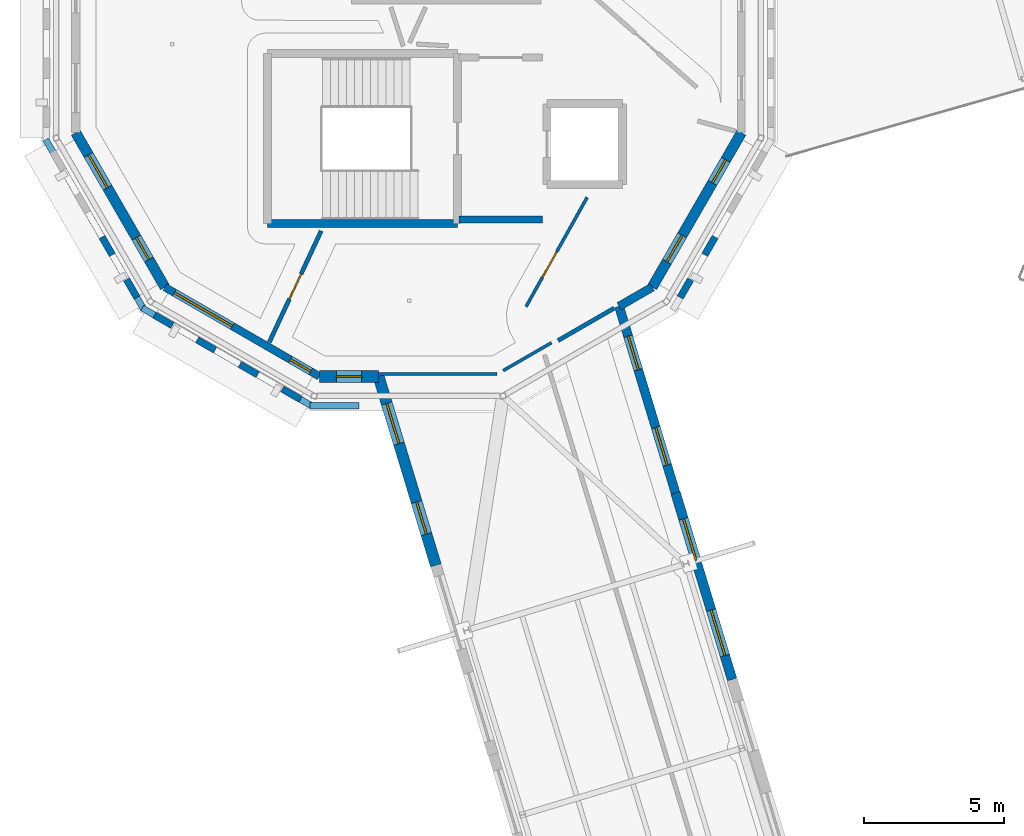
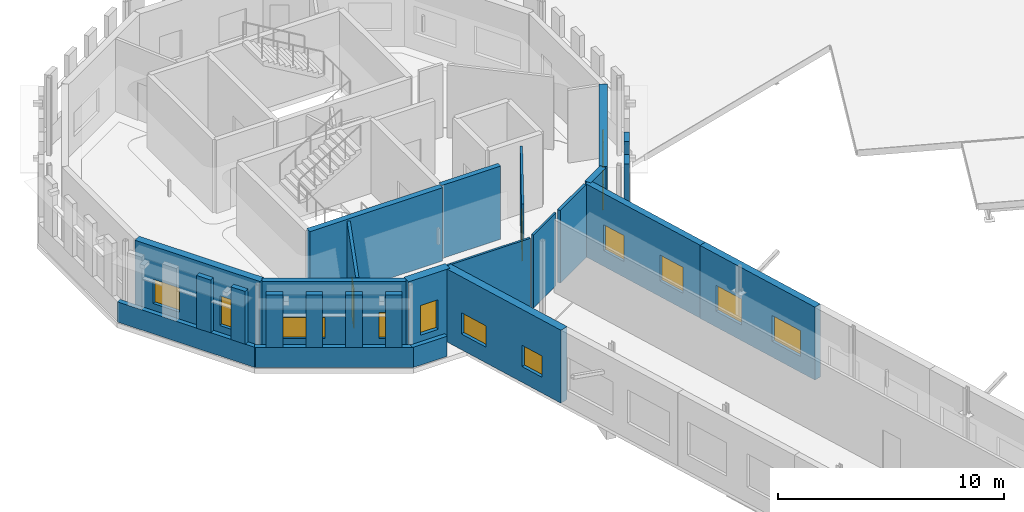
# One storey, part 56 of 90: 26 walls, 13 windows, 2 doors, 15 openings.
"""IFC4 building model written with IfcOpenShell, lengths in metres."""

import ifcopenshell
import ifcopenshell.guid

model = None  # the IFC model being written
_history = None  # IfcOwnerHistory: only IFC2X3 demands one
_inside = {}  # id of a spatial element -> (the spatial element, [elements in it])
_under = {}  # id of a project, library or spatial element -> (it, [spatial elements below it])
_declared = {}  # id of a project -> (the project, [libraries it declares])
_typed = {}  # id of a type object -> (the type object, [elements of that type])
_made_of = {}  # id of a material, layer set ... -> (it, [elements and type objects made of it])


def new_model(schema):
    """Start an empty IFC model of exactly this schema.

    Asked for "IFC4X3", IfcOpenShell would pick the latest addendum, in which some entities
    have other attributes; the version numbers below select the first issue.
    IFC2X3 requires an IfcOwnerHistory on every rooted entity: one is made here for all.
    """
    global model, _history
    if schema == "IFC4X3":
        model = ifcopenshell.file(schema_version=(4, 3, 0, 0))
    else:
        model = ifcopenshell.file(schema=schema)
    _inside.clear()
    _under.clear()
    _declared.clear()
    _typed.clear()
    _made_of.clear()
    _history = None
    if model.schema == "IFC2X3":
        org = make("IfcOrganization", Name="unknown")
        user = make(
            "IfcPersonAndOrganization",
            ThePerson=make("IfcPerson", FamilyName="unknown"),
            TheOrganization=org,
        )
        app = make(
            "IfcApplication",
            ApplicationDeveloper=org,
            Version="unknown",
            ApplicationFullName="unknown",
            ApplicationIdentifier="unknown",
        )
        _history = make(
            "IfcOwnerHistory",
            OwningUser=user,
            OwningApplication=app,
            ChangeAction="ADDED",
            CreationDate=0,
        )
    return model


def make(cls, **values):
    """One entity of the class cls with the attributes given. An attribute that is None is left unset."""
    return model.create_entity(
        cls, **{name: value for name, value in values.items() if value is not None}
    )


def rooted(cls, **values):
    """An entity with a GlobalId (a new one), such as an element, a storey or a relation."""
    return make(cls, GlobalId=ifcopenshell.guid.new(), OwnerHistory=_history, **values)


def si_unit(unit_type, name, prefix=None):
    """IfcSIUnit, for example si_unit("LENGTHUNIT", "METRE", prefix="MILLI")."""
    return make("IfcSIUnit", UnitType=unit_type, Prefix=prefix, Name=name)


def assignment(units):
    """IfcUnitAssignment: the units of a project."""
    return None if units is None else make("IfcUnitAssignment", Units=units)


def point(xyz):
    """IfcCartesianPoint."""
    return None if xyz is None else make("IfcCartesianPoint", Coordinates=xyz)


def direction(xyz):
    """IfcDirection."""
    return None if xyz is None else make("IfcDirection", DirectionRatios=xyz)


def frame(location, z_axis=None, x_axis=None):
    """IfcAxis2Placement3D, a coordinate frame: its origin and axes. An axis left out is left unset."""
    return make(
        "IfcAxis2Placement3D",
        Location=point(location),
        Axis=direction(z_axis),
        RefDirection=direction(x_axis),
    )


def frame_2d(location, x_axis=None):
    """IfcAxis2Placement2D, a coordinate frame in the plane: its origin and x axis."""
    return make(
        "IfcAxis2Placement2D", Location=point(location), RefDirection=direction(x_axis)
    )


def origin():
    """The frame at (0, 0, 0) with its axes left unset."""
    return frame((0.0, 0.0, 0.0))


def place(relative_to, where):
    """IfcLocalPlacement: puts the frame where relative to a parent placement (None: the world)."""
    return make(
        "IfcLocalPlacement", PlacementRelTo=relative_to, RelativePlacement=where
    )


def context(
    kind, dimensions, precision=None, world=None, true_north=None, identifier=None
):
    """IfcGeometricRepresentationContext, for example the 3D "Model" context."""
    return make(
        "IfcGeometricRepresentationContext",
        ContextIdentifier=identifier,
        ContextType=kind,
        CoordinateSpaceDimension=dimensions,
        Precision=precision,
        WorldCoordinateSystem=world,
        TrueNorth=true_north,
    )


def subcontext(parent, identifier, kind, view, scale=None):
    """IfcGeometricRepresentationSubContext, for example "Body" below "Model"."""
    return make(
        "IfcGeometricRepresentationSubContext",
        ContextIdentifier=identifier,
        ContextType=kind,
        ParentContext=parent,
        TargetScale=scale,
        TargetView=view,
    )


def project(units=None, contexts=None):
    """IfcProject with its units and contexts."""
    return rooted(
        "IfcProject",
        Name="project",
        RepresentationContexts=contexts,
        UnitsInContext=assignment(units),
    )


def spatial(cls, under=None, at=None, **own):
    """A site, building, storey or space (cls), placed at a placement, below another one or the project."""
    s = rooted(cls, ObjectPlacement=at, **own)
    if under is not None:
        _under.setdefault(under.id(), (under, []))[1].append(s)
    return s


def profile(cls, at=None, kind="AREA", **sizes):
    """A parametric profile (cls). Its sizes go by their IFC names, for example OverallWidth=200.0."""
    return make(cls, ProfileType=kind, Position=at, **sizes)


def rectangle(**sizes):
    """IfcRectangleProfileDef."""
    return profile("IfcRectangleProfileDef", **sizes)


def extrude(swept, where, along, depth):
    """IfcExtrudedAreaSolid: the profile swept, set in the frame where, extruded along a direction by depth."""
    return make(
        "IfcExtrudedAreaSolid",
        SweptArea=swept,
        Position=where,
        ExtrudedDirection=direction(along),
        Depth=depth,
    )


def shape(context_of_items, identifier, shape_type, items):
    """IfcShapeRepresentation: the items that make up one representation, for example the "Body"."""
    return make(
        "IfcShapeRepresentation",
        ContextOfItems=context_of_items,
        RepresentationIdentifier=identifier,
        RepresentationType=shape_type,
        Items=items,
    )


def material(Name=None, Category=None):
    """IfcMaterial."""
    return make("IfcMaterial", Name=Name, Category=Category)


def layer(
    of_material, thickness, ventilated=None, Name=None, Category=None, Priority=None
):
    """IfcMaterialLayer: one layer of a wall or slab, of a material (None: an air gap)."""
    return make(
        "IfcMaterialLayer",
        Material=of_material,
        LayerThickness=thickness,
        IsVentilated=ventilated,
        Name=Name,
        Category=Category,
        Priority=Priority,
    )


def layer_set(layers, Name=None):
    """IfcMaterialLayerSet."""
    return make("IfcMaterialLayerSet", MaterialLayers=layers, LayerSetName=Name)


def made_of(thing, what):
    """Note that an element or type object is made of a material, layer set ...; save() writes the relation."""
    if what is not None:
        _made_of.setdefault(what.id(), (what, []))[1].append(thing)
    return thing


def type_object(cls, material=None, **own):
    """A type object (cls), such as IfcWallType, which elements share."""
    return made_of(rooted(cls, **own), material)


def element(
    cls,
    number,
    at=None,
    inside=None,
    cuts=None,
    type_object=None,
    material=None,
    context=None,
    identifier="Body",
    shape_type=None,
    held_by="IfcProductDefinitionShape",
    body=None,
    shapes=None,
    **own,
):
    """One element of the class cls, such as IfcWall. Its Tag is "e" and its number.

    at: its placement. inside: the storey or other place that contains it. cuts: it is an
    opening in that element (IfcRelVoidsElement). A single representation is given by context,
    identifier, shape_type and body (its items); several are given by shapes. held_by: the class
    of the entity that holds the representations. save() writes the other relations.
    """
    e = rooted(cls, Tag="e%d" % number, ObjectPlacement=at, **own)
    if body is not None:
        shapes = [shape(context, identifier, shape_type, body)]
    if shapes is not None:
        e.Representation = make(held_by, Representations=shapes)
    if inside is not None:
        _inside.setdefault(inside.id(), (inside, []))[1].append(e)
    if cuts is not None:
        rooted(
            "IfcRelVoidsElement", RelatingBuildingElement=cuts, RelatedOpeningElement=e
        )
    if type_object is not None:
        _typed.setdefault(type_object.id(), (type_object, []))[1].append(e)
    return made_of(e, material)


def fill(opening, filler):
    """IfcRelFillsElement: the door or window that sits in an opening."""
    return rooted(
        "IfcRelFillsElement",
        RelatingOpeningElement=opening,
        RelatedBuildingElement=filler,
    )


def aggregate(whole, parts):
    """IfcRelAggregates: a whole, such as a stair, and the parts it consists of."""
    return rooted("IfcRelAggregates", RelatingObject=whole, RelatedObjects=parts)


def save(model, path):
    """Write the relations noted so far, then the file.

    IfcRelAggregates (storeys below a building ...), IfcRelContainedInSpatialStructure (elements
    in a storey), IfcRelDefinesByType, IfcRelAssociatesMaterial and IfcRelDeclares: one each for
    every whole, place, type object, material and project.
    """
    for whole, parts in _under.values():
        aggregate(whole, parts)
    for where, things in _inside.values():
        rooted(
            "IfcRelContainedInSpatialStructure",
            RelatedElements=things,
            RelatingStructure=where,
        )
    for kind, things in _typed.values():
        rooted("IfcRelDefinesByType", RelatedObjects=things, RelatingType=kind)
    for what, things in _made_of.values():
        rooted("IfcRelAssociatesMaterial", RelatedObjects=things, RelatingMaterial=what)
    for by, libraries in _declared.values():
        rooted("IfcRelDeclares", RelatingContext=by, RelatedDefinitions=libraries)
    model.write(path)


model = new_model("IFC4")

# Units and contexts
model_context = context("Model", 3, precision=1e-05, world=origin(), true_north=direction((0.0, 1.0)))
body_context = subcontext(model_context, "Body", "Model", "MODEL_VIEW")
ifc_project = project(units=[si_unit("LENGTHUNIT", "METRE"), si_unit("AREAUNIT", "SQUARE_METRE"), si_unit("VOLUMEUNIT", "CUBIC_METRE"), si_unit("PLANEANGLEUNIT", "RADIAN"), si_unit("MASSUNIT", "GRAM", prefix="KILO")], contexts=[model_context])

# Site, building, storey
site_placement = place(None, origin())
site = spatial("IfcSite", under=ifc_project, at=site_placement, CompositionType="ELEMENT")
building_placement = place(site_placement, origin())
building = spatial("IfcBuilding", under=site, at=building_placement, Name="Wrenclough Park School", CompositionType="ELEMENT")
storey_placement = place(building_placement, frame((0.0, 0.0, 8.39990234375)))
storey = spatial("IfcBuildingStorey", under=building, at=storey_placement, Name="L02", CompositionType="ELEMENT", Elevation=8.39990234375)

# Walls
ifc_material_1 = material(Name="Perforated open-bond Staffordshire and Manchester brick screen pier", Category="masonry")
ifc_layer_1 = layer(ifc_material_1, 0.2451171875)
ifc_layer_set_1 = layer_set([ifc_layer_1], Name="Perforated open-bond Staffordshire and Manchester brick screen pier")
wall_type_1 = type_object("IfcWallType", Name="ENV-BS-PR245", PredefinedType="ELEMENTEDWALL", material=ifc_layer_set_1)
for number, where, z_axis, x_axis, name in (
    (1, (5.534423828125, 82.57958984375, 1.090087890625), (0.0, 0.0, 1.0), (0.500189527592, -0.865915952323, 0.0), "D3 L02 perforated brick screen pier 0531"),
    (2, (6.41455078125, 81.055419921875, 1.090087890625), (0.0, 0.0, 1.0), (0.499798711192, -0.866141586746, 0.0), "D3 L02 perforated brick screen pier 0532"),
    (3, (7.415283203125, 79.783935546875, 1.090087890625), (0.0, 0.0, 1.0), (0.866141586746, -0.499798711192, 0.0), "D3 L02 perforated brick screen pier 0533"),
    (4, (8.939697265625, 78.904052734375, 1.090087890625), (0.0, 0.0, 1.0), (0.865915952323, -0.500189527592, 0.0), "D3 L02 perforated brick screen pier 0534"),
):
    element("IfcWall", number, at=place(storey_placement, frame(where, z_axis=z_axis, x_axis=x_axis)), inside=storey, type_object=wall_type_1, Name=name, PredefinedType="ELEMENTEDWALL", context=body_context, shape_type="SweptSolid", body=[
        extrude(rectangle(XDim=0.739013671875, YDim=0.2451171875, at=frame_2d((0.36962890625, 0.0))), origin(), (0.0, 0.0, 1.0), 2.85009765625),
    ])
wall_1_placement = place(storey_placement, frame((10.4638671875, 78.02392578125, 1.090087890625), z_axis=(0.0, 0.0, 1.0), x_axis=(0.866059033742, -0.499941746681, 0.0)))
element("IfcWall", 5, at=wall_1_placement, inside=storey, type_object=wall_type_1, Name="D3 L02 perforated brick screen pier 0535", PredefinedType="ELEMENTEDWALL", context=body_context, shape_type="SweptSolid", body=[
    extrude(rectangle(XDim=0.73876953125, YDim=0.2451171875, at=frame_2d((0.369384765625, 0.0))), origin(), (0.0, 0.0, 1.0), 2.85009765625),
])
for number, where, z_axis, x_axis, name in (
    (6, (11.988037109375, 77.14404296875, 1.090087890625), (0.0, 0.0, 1.0), (0.865915952323, -0.500189527592, 0.0), "D3 L02 perforated brick screen pier 0536"),
    (7, (26.216064453125, 80.415283203125, 1.090087890625), (0.0, 0.0, 1.0), (0.499798711192, 0.866141586746, 0.0), "D3 L02 perforated brick screen pier 0537"),
    (8, (27.095947265625, 81.939697265625, 1.090087890625), (0.0, 0.0, 1.0), (0.500189527592, 0.865915952323, 0.0), "D3 L02 perforated brick screen pier 0538"),
):
    element("IfcWall", number, at=place(storey_placement, frame(where, z_axis=z_axis, x_axis=x_axis)), inside=storey, type_object=wall_type_1, Name=name, PredefinedType="ELEMENTEDWALL", context=body_context, shape_type="SweptSolid", body=[
        extrude(rectangle(XDim=0.739013671875, YDim=0.2451171875, at=frame_2d((0.36962890625, 0.0))), origin(), (0.0, 0.0, 1.0), 2.85009765625),
    ])
ifc_material_2 = material(Name="Open-bond Manchester multi-stock brick spandrel screen", Category="masonry")
ifc_layer_2 = layer(ifc_material_2, 0.22509765625)
ifc_layer_set_2 = layer_set([ifc_layer_2], Name="Open-bond Manchester multi-stock brick spandrel screen")
wall_type_2 = type_object("IfcWallType", Name="ENV-BS-SP225", PredefinedType="ELEMENTEDWALL", material=ifc_layer_set_2)
for number, where, z_axis, x_axis, name in (
    (9, (3.519287109375, 86.070068359375, 0.0), (0.0, 0.0, 1.0), (0.500010639957, -0.866019260715, 0.0), "D3 L02 open-bond brick screen spandrel 0143"),
    (10, (6.973388671875, 80.039306640625, 0.0), (0.0, 0.0, 1.0), (0.866019260715, -0.500010639957, 0.0), "D3 L02 open-bond brick screen spandrel 0144"),
):
    element("IfcWall", number, at=place(storey_placement, frame(where, z_axis=z_axis, x_axis=x_axis)), inside=storey, type_object=wall_type_2, Name=name, PredefinedType="ELEMENTEDWALL", context=body_context, shape_type="SweptSolid", body=[
        extrude(rectangle(XDim=7.039794921875, YDim=0.22509765625, at=frame_2d((3.52001953125, 0.0))), origin(), (0.0, 0.0, 1.0), 1.090087890625),
    ])
wall_2_placement = place(storey_placement, frame((12.97998046875, 76.54345703125, 0.0), z_axis=(0.0, 0.0, 1.0), x_axis=(1.0, 0.0, 0.0)))
element("IfcWall", 11, at=wall_2_placement, inside=storey, type_object=wall_type_2, Name="D3 L02 open-bond brick screen spandrel 0145", PredefinedType="ELEMENTEDWALL", context=body_context, shape_type="SweptSolid", body=[
    extrude(rectangle(XDim=1.751708984375, YDim=0.22509765625, at=frame_2d((0.8759765625, 0.0))), origin(), (0.0, 0.0, 1.0), 1.090087890625),
])

# Wall, openings, windows
ifc_material_3 = material(Name="Link wing brick-faced cavity wall Concrete C32/40", Category="masonry")
ifc_layer_3 = layer(ifc_material_3, 0.27490234375)
ifc_layer_set_3 = layer_set([ifc_layer_3], Name="Link wing brick-faced cavity wall Concrete C32/40")
wall_type_3 = type_object("IfcWallType", Name="ENV-EW-275", PredefinedType="SOLIDWALL", material=ifc_layer_set_3)
wall_3_placement = place(storey_placement, frame((13.309814453125, 77.59423828125, 0.0), z_axis=(0.0, 0.0, 1.0), x_axis=(-0.866044766488, 0.499966461314, 0.0)))
wall_3 = element("IfcWall", 12, at=wall_3_placement, inside=storey, type_object=wall_type_3, Name="L02 insulated brick external wall 0230", PredefinedType="SOLIDWALL", context=body_context, shape_type="SweptSolid", body=[
    extrude(rectangle(XDim=6.38037109375, YDim=0.27490234375, at=frame_2d((3.190185546875, 0.0))), origin(), (0.0, 0.0, 1.0), 3.940185546875),
])
opening_1_placement = place(wall_3_placement, frame((0.35009765625, 0.0, 0.85009765625)))
opening_1 = element("IfcOpeningElement", 13, at=opening_1_placement, cuts=wall_3, Name="Opening WN-01", PredefinedType="OPENING", context=body_context, shape_type="SweptSolid", body=[
    extrude(rectangle(XDim=0.85009765625, YDim=1.39990234375, at=frame_2d((0.425048828125, 0.699951171875))), frame((0.0, 0.1474609375, 0.0), z_axis=(0.0, -1.0, 0.0), x_axis=(1.0, 0.0, 0.0)), (0.0, 0.0, 1.0), 0.294921875),
])
opening_2_placement = place(wall_3_placement, frame((3.585205078125, 0.0, 0.85009765625)))
opening_2 = element("IfcOpeningElement", 14, at=opening_2_placement, cuts=wall_3, Name="Opening WN-41", PredefinedType="OPENING", context=body_context, shape_type="SweptSolid", body=[
    extrude(rectangle(XDim=2.39990234375, YDim=1.14990234375, at=frame_2d((1.199951171875, 0.574951171875))), frame((0.0, 0.1474609375, 0.0), z_axis=(0.0, -1.0, 0.0), x_axis=(1.0, 0.0, 0.0)), (0.0, 0.0, 1.0), 0.294921875),
])
ifc_material_4 = material(Name="Thermally broken aluminium and double-glazed low-e glass", Category="aluminium")
window_type_1 = type_object("IfcWindowType", Name="ENV-WN-01", PartitioningType="SINGLE_PANEL", PredefinedType="WINDOW", material=ifc_material_4)
window_1_placement = place(opening_1_placement, origin())
window_1 = element("IfcWindow", 15, at=window_1_placement, inside=storey, type_object=window_type_1, Name="L02 scheduled facade window 0375", OverallHeight=1.39990234375, OverallWidth=0.85009765625, PartitioningType="SINGLE_PANEL", PredefinedType="WINDOW", context=body_context, shape_type="SweptSolid", body=[
    extrude(rectangle(XDim=0.85009765625, YDim=1.39990234375, at=frame_2d((0.425048828125, 0.699951171875))), frame((0.0, 0.030029296875, 0.0), z_axis=(0.0, -1.0, 0.0), x_axis=(1.0, 0.0, 0.0)), (0.0, 0.0, 1.0), 0.06005859375),
])
fill(opening_1, window_1)
window_type_2 = type_object("IfcWindowType", Name="ENV-WN-41", PartitioningType="DOUBLE_PANEL_VERTICAL", PredefinedType="WINDOW", material=ifc_material_4)
window_2_placement = place(opening_2_placement, origin())
window_2 = element("IfcWindow", 16, at=window_2_placement, inside=storey, type_object=window_type_2, Name="L02 scheduled facade window 0376", OverallHeight=1.14990234375, OverallWidth=2.39990234375, PartitioningType="SINGLE_PANEL", PredefinedType="WINDOW", context=body_context, shape_type="SweptSolid", body=[
    extrude(rectangle(XDim=2.39990234375, YDim=1.14990234375, at=frame_2d((1.199951171875, 0.574951171875))), frame((0.0, 0.030029296875, 0.0), z_axis=(0.0, -1.0, 0.0), x_axis=(1.0, 0.0, 0.0)), (0.0, 0.0, 1.0), 0.06005859375),
])
fill(opening_2, window_2)

# Wall
ifc_material_5 = material(Name="Manchester multi-stock brick and Concrete C32/40 inner leaf", Category="masonry")
ifc_layer_4 = layer(ifc_material_5, 0.300048828125)
ifc_layer_set_4 = layer_set([ifc_layer_4], Name="Manchester multi-stock brick and Concrete C32/40 inner leaf")
wall_type_4 = type_object("IfcWallType", Name="ENV-EW-300", PredefinedType="SOLIDWALL", material=ifc_layer_set_4)
wall_4_placement = place(storey_placement, frame((25.2158203125, 80.7841796875, 0.0), z_axis=(0.0, 0.0, 1.0), x_axis=(-0.866084655132, -0.499897359611, 0.0)))
element("IfcWall", 17, at=wall_4_placement, inside=storey, type_object=wall_type_4, Name="L02 insulated brick external wall 0240", PredefinedType="SOLIDWALL", context=body_context, shape_type="SweptSolid", body=[
    extrude(rectangle(XDim=1.369384765625, YDim=0.300048828125, at=frame_2d((0.6845703125, 0.0))), origin(), (0.0, 0.0, 1.0), 3.940185546875),
])

# Wall, openings, windows
ifc_layer_5 = layer(ifc_material_5, 0.324951171875)
ifc_layer_set_5 = layer_set([ifc_layer_5], Name="Manchester multi-stock brick and Concrete C32/40 inner leaf")
wall_type_5 = type_object("IfcWallType", Name="ENV-EW-325", PredefinedType="SOLIDWALL", material=ifc_layer_set_5)
wall_5_placement = place(storey_placement, frame((24.02978515625, 80.099609375, 0.0), z_axis=(0.0, 0.0, 1.0), x_axis=(0.289999622439, -0.957026759806, 0.0)))
wall_5 = element("IfcWall", 18, at=wall_5_placement, inside=storey, type_object=wall_type_5, Name="L02 insulated brick external wall 0241", PredefinedType="SOLIDWALL", context=body_context, shape_type="SweptSolid", body=[
    extrude(rectangle(XDim=6.97412109375, YDim=0.324951171875, at=frame_2d((3.487060546875, 0.0))), origin(), (0.0, 0.0, 1.0), 3.940185546875),
])
opening_3_placement = place(wall_5_placement, frame((1.118408203125, 0.0, 0.85009765625)))
opening_3 = element("IfcOpeningElement", 19, at=opening_3_placement, cuts=wall_5, Name="Opening WN-04", PredefinedType="OPENING", context=body_context, shape_type="SweptSolid", body=[
    extrude(rectangle(XDim=1.25, YDim=1.39990234375, at=frame_2d((0.625, 0.699951171875))), frame((0.0, 0.17236328125, 0.0), z_axis=(0.0, -1.0, 0.0), x_axis=(1.0, 0.0, 0.0)), (0.0, 0.0, 1.0), 0.344970703125),
])
opening_4_placement = place(wall_5_placement, frame((4.530517578125, 0.0, 0.85009765625)))
opening_4 = element("IfcOpeningElement", 20, at=opening_4_placement, cuts=wall_5, Name="Opening WN-05", PredefinedType="OPENING", context=body_context, shape_type="SweptSolid", body=[
    extrude(rectangle(XDim=1.39990234375, YDim=1.39990234375, at=frame_2d((0.699951171875, 0.699951171875))), frame((0.0, 0.17236328125, 0.0), z_axis=(0.0, -1.0, 0.0), x_axis=(1.0, 0.0, 0.0)), (0.0, 0.0, 1.0), 0.344970703125),
])
window_type_3 = type_object("IfcWindowType", Name="ENV-WN-04", PartitioningType="SINGLE_PANEL", PredefinedType="WINDOW", material=ifc_material_4)
window_3_placement = place(opening_3_placement, origin())
window_3 = element("IfcWindow", 21, at=window_3_placement, inside=storey, type_object=window_type_3, Name="L02 scheduled facade window 0395", OverallHeight=1.39990234375, OverallWidth=1.25, PartitioningType="SINGLE_PANEL", PredefinedType="WINDOW", context=body_context, shape_type="SweptSolid", body=[
    extrude(rectangle(XDim=1.25, YDim=1.39990234375, at=frame_2d((0.625, 0.699951171875))), frame((0.0, 0.030029296875, 0.0), z_axis=(0.0, -1.0, 0.0), x_axis=(1.0, 0.0, 0.0)), (0.0, 0.0, 1.0), 0.06005859375),
])
fill(opening_3, window_3)
window_type_4 = type_object("IfcWindowType", Name="ENV-WN-05", PartitioningType="SINGLE_PANEL", PredefinedType="WINDOW", material=ifc_material_4)
window_4_placement = place(opening_4_placement, origin())
window_4 = element("IfcWindow", 22, at=window_4_placement, inside=storey, type_object=window_type_4, Name="L02 scheduled facade window 0396", OverallHeight=1.39990234375, OverallWidth=1.39990234375, PartitioningType="SINGLE_PANEL", PredefinedType="WINDOW", context=body_context, shape_type="SweptSolid", body=[
    extrude(rectangle(XDim=1.39990234375, YDim=1.39990234375, at=frame_2d((0.699951171875, 0.699951171875))), frame((0.0, 0.030029296875, 0.0), z_axis=(0.0, -1.0, 0.0), x_axis=(1.0, 0.0, 0.0)), (0.0, 0.0, 1.0), 0.06005859375),
])
fill(opening_4, window_4)

ifc_material_6 = material(Name="Staffordshire blue-grey brick and Concrete C35/45 inner leaf", Category="masonry")
ifc_layer_6 = layer(ifc_material_6, 0.35009765625)
ifc_layer_set_6 = layer_set([ifc_layer_6], Name="Staffordshire blue-grey brick and Concrete C35/45 inner leaf")
wall_type_6 = type_object("IfcWallType", Name="ENV-EW-350", PredefinedType="SOLIDWALL", material=ifc_layer_set_6)
wall_6_placement = place(storey_placement, frame((26.05224609375, 73.42529296875, 0.0), z_axis=(0.0, 0.0, 1.0), x_axis=(0.29003168505, -0.957017043561, 0.0)))
wall_6 = element("IfcWall", 23, at=wall_6_placement, inside=storey, type_object=wall_type_6, Name="L02 insulated brick external wall 0242", PredefinedType="SOLIDWALL", context=body_context, shape_type="SweptSolid", body=[
    extrude(rectangle(XDim=6.97412109375, YDim=0.35009765625, at=frame_2d((3.487060546875, 0.0))), origin(), (0.0, 0.0, 1.0), 3.940185546875),
])
opening_5_placement = place(wall_6_placement, frame((0.968505859375, 0.0, 0.85009765625)))
opening_5 = element("IfcOpeningElement", 24, at=opening_5_placement, cuts=wall_6, Name="Opening WN-06", PredefinedType="OPENING", context=body_context, shape_type="SweptSolid", body=[
    extrude(rectangle(XDim=1.550048828125, YDim=1.39990234375, at=frame_2d((0.77490234375, 0.699951171875))), frame((0.0, 0.18505859375, 0.0), z_axis=(0.0, -1.0, 0.0), x_axis=(1.0, 0.0, 0.0)), (0.0, 0.0, 1.0), 0.3701171875),
])
opening_6_placement = place(wall_6_placement, frame((4.380615234375, 0.0, 0.85009765625)))
opening_6 = element("IfcOpeningElement", 25, at=opening_6_placement, cuts=wall_6, Name="Opening WN-07", PredefinedType="OPENING", context=body_context, shape_type="SweptSolid", body=[
    extrude(rectangle(XDim=1.699951171875, YDim=1.39990234375, at=frame_2d((0.85009765625, 0.699951171875))), frame((0.0, 0.18505859375, 0.0), z_axis=(0.0, -1.0, 0.0), x_axis=(1.0, 0.0, 0.0)), (0.0, 0.0, 1.0), 0.3701171875),
])
window_type_5 = type_object("IfcWindowType", Name="ENV-WN-06", PartitioningType="DOUBLE_PANEL_VERTICAL", PredefinedType="WINDOW", material=ifc_material_4)
window_5_placement = place(opening_5_placement, origin())
window_5 = element("IfcWindow", 26, at=window_5_placement, inside=storey, type_object=window_type_5, Name="L02 scheduled facade window 0397", OverallHeight=1.39990234375, OverallWidth=1.550048828125, PartitioningType="SINGLE_PANEL", PredefinedType="WINDOW", context=body_context, shape_type="SweptSolid", body=[
    extrude(rectangle(XDim=1.550048828125, YDim=1.39990234375, at=frame_2d((0.77490234375, 0.699951171875))), frame((0.0, 0.030029296875, 0.0), z_axis=(0.0, -1.0, 0.0), x_axis=(1.0, 0.0, 0.0)), (0.0, 0.0, 1.0), 0.06005859375),
])
fill(opening_5, window_5)
window_type_6 = type_object("IfcWindowType", Name="ENV-WN-07", PartitioningType="DOUBLE_PANEL_VERTICAL", PredefinedType="WINDOW", material=ifc_material_4)
window_6_placement = place(opening_6_placement, origin())
window_6 = element("IfcWindow", 27, at=window_6_placement, inside=storey, type_object=window_type_6, Name="L02 scheduled facade window 0398", OverallHeight=1.39990234375, OverallWidth=1.699951171875, PartitioningType="SINGLE_PANEL", PredefinedType="WINDOW", context=body_context, shape_type="SweptSolid", body=[
    extrude(rectangle(XDim=1.699951171875, YDim=1.39990234375, at=frame_2d((0.85009765625, 0.699951171875))), frame((0.0, 0.030029296875, 0.0), z_axis=(0.0, -1.0, 0.0), x_axis=(1.0, 0.0, 0.0)), (0.0, 0.0, 1.0), 0.06005859375),
])
fill(opening_6, window_6)

ifc_material_7 = material(Name="Faceted courtyard brick-cavity wall Concrete C35/45", Category="masonry")
ifc_layer_7 = layer(ifc_material_7, 0.364990234375)
ifc_layer_set_7 = layer_set([ifc_layer_7], Name="Faceted courtyard brick-cavity wall Concrete C35/45")
wall_type_7 = type_object("IfcWallType", Name="ENV-EW-365", PredefinedType="SOLIDWALL", material=ifc_layer_set_7)
wall_7_placement = place(storey_placement, frame((7.7841796875, 80.7841796875, 0.0), z_axis=(0.0, 0.0, 1.0), x_axis=(-0.499966461314, 0.866044766488, 0.0)))
wall_7 = element("IfcWall", 28, at=wall_7_placement, inside=storey, type_object=wall_type_7, Name="L02 insulated brick external wall 0231", PredefinedType="SOLIDWALL", context=body_context, shape_type="SweptSolid", body=[
    extrude(rectangle(XDim=6.38037109375, YDim=0.364990234375, at=frame_2d((3.190185546875, 0.0))), origin(), (0.0, 0.0, 1.0), 3.940185546875),
])
opening_7_placement = place(wall_7_placement, frame((1.14501953125, 0.0, 0.85009765625)))
opening_7 = element("IfcOpeningElement", 29, at=opening_7_placement, cuts=wall_7, Name="Opening WN-13", PredefinedType="OPENING", context=body_context, shape_type="SweptSolid", body=[
    extrude(rectangle(XDim=0.89990234375, YDim=1.60009765625, at=frame_2d((0.449951171875, 0.800048828125))), frame((0.0, 0.1923828125, 0.0), z_axis=(0.0, -1.0, 0.0), x_axis=(1.0, 0.0, 0.0)), (0.0, 0.0, 1.0), 0.385009765625),
])
opening_8_placement = place(wall_7_placement, frame((4.110107421875, 0.0, 0.85009765625)))
opening_8 = element("IfcOpeningElement", 30, at=opening_8_placement, cuts=wall_7, Name="Opening WN-43", PredefinedType="OPENING", context=body_context, shape_type="SweptSolid", body=[
    extrude(rectangle(XDim=1.35009765625, YDim=1.300048828125, at=frame_2d((0.675048828125, 0.64990234375))), frame((0.0, 0.1923828125, 0.0), z_axis=(0.0, -1.0, 0.0), x_axis=(1.0, 0.0, 0.0)), (0.0, 0.0, 1.0), 0.385009765625),
])
window_type_7 = type_object("IfcWindowType", Name="ENV-WN-13", PartitioningType="SINGLE_PANEL", PredefinedType="WINDOW", material=ifc_material_4)
window_7_placement = place(opening_7_placement, origin())
window_7 = element("IfcWindow", 31, at=window_7_placement, inside=storey, type_object=window_type_7, Name="L02 scheduled facade window 0377", OverallHeight=1.60009765625, OverallWidth=0.89990234375, PartitioningType="SINGLE_PANEL", PredefinedType="WINDOW", context=body_context, shape_type="SweptSolid", body=[
    extrude(rectangle(XDim=0.89990234375, YDim=1.60009765625, at=frame_2d((0.449951171875, 0.800048828125))), frame((0.0, 0.030029296875, 0.0), z_axis=(0.0, -1.0, 0.0), x_axis=(1.0, 0.0, 0.0)), (0.0, 0.0, 1.0), 0.06005859375),
])
fill(opening_7, window_7)
window_type_8 = type_object("IfcWindowType", Name="ENV-WN-43", PartitioningType="SINGLE_PANEL", PredefinedType="WINDOW", material=ifc_material_4)
window_8_placement = place(opening_8_placement, origin())
window_8 = element("IfcWindow", 32, at=window_8_placement, inside=storey, type_object=window_type_8, Name="L02 scheduled facade window 0378", OverallHeight=1.300048828125, OverallWidth=1.35009765625, PartitioningType="SINGLE_PANEL", PredefinedType="WINDOW", context=body_context, shape_type="SweptSolid", body=[
    extrude(rectangle(XDim=1.35009765625, YDim=1.300048828125, at=frame_2d((0.675048828125, 0.64990234375))), frame((0.0, 0.030029296875, 0.0), z_axis=(0.0, -1.0, 0.0), x_axis=(1.0, 0.0, 0.0)), (0.0, 0.0, 1.0), 0.06005859375),
])
fill(opening_8, window_8)

wall_8_placement = place(storey_placement, frame((28.40576171875, 86.309814453125, 0.0), z_axis=(0.0, 0.0, 1.0), x_axis=(-0.499966461314, -0.866044766488, 0.0)))
wall_8 = element("IfcWall", 33, at=wall_8_placement, inside=storey, type_object=wall_type_7, Name="L02 insulated brick external wall 0239", PredefinedType="SOLIDWALL", context=body_context, shape_type="SweptSolid", body=[
    extrude(rectangle(XDim=6.38037109375, YDim=0.364990234375, at=frame_2d((3.190185546875, 0.0))), origin(), (0.0, 0.0, 1.0), 3.940185546875),
])
opening_9_placement = place(wall_8_placement, frame((1.1201171875, 0.0, 0.85009765625)))
opening_9 = element("IfcOpeningElement", 34, at=opening_9_placement, cuts=wall_8, Name="Opening WN-02", PredefinedType="OPENING", context=body_context, shape_type="SweptSolid", body=[
    extrude(rectangle(XDim=0.949951171875, YDim=1.39990234375, at=frame_2d((0.47509765625, 0.699951171875))), frame((0.0, 0.1923828125, 0.0), z_axis=(0.0, -1.0, 0.0), x_axis=(1.0, 0.0, 0.0)), (0.0, 0.0, 1.0), 0.385009765625),
])
opening_10_placement = place(wall_8_placement, frame((4.235107421875, 0.0, 0.85009765625)))
opening_10 = element("IfcOpeningElement", 35, at=opening_10_placement, cuts=wall_8, Name="Opening WN-03", PredefinedType="OPENING", context=body_context, shape_type="SweptSolid", body=[
    extrude(rectangle(XDim=1.10009765625, YDim=1.39990234375, at=frame_2d((0.550048828125, 0.699951171875))), frame((0.0, 0.1923828125, 0.0), z_axis=(0.0, -1.0, 0.0), x_axis=(1.0, 0.0, 0.0)), (0.0, 0.0, 1.0), 0.385009765625),
])
window_type_9 = type_object("IfcWindowType", Name="ENV-WN-02", PartitioningType="SINGLE_PANEL", PredefinedType="WINDOW", material=ifc_material_4)
window_9_placement = place(opening_9_placement, origin())
window_9 = element("IfcWindow", 36, at=window_9_placement, inside=storey, type_object=window_type_9, Name="L02 scheduled facade window 0393", OverallHeight=1.39990234375, OverallWidth=0.949951171875, PartitioningType="SINGLE_PANEL", PredefinedType="WINDOW", context=body_context, shape_type="SweptSolid", body=[
    extrude(rectangle(XDim=0.949951171875, YDim=1.39990234375, at=frame_2d((0.47509765625, 0.699951171875))), frame((0.0, 0.030029296875, 0.0), z_axis=(0.0, -1.0, 0.0), x_axis=(1.0, 0.0, 0.0)), (0.0, 0.0, 1.0), 0.06005859375),
])
fill(opening_9, window_9)
window_type_10 = type_object("IfcWindowType", Name="ENV-WN-03", PartitioningType="SINGLE_PANEL", PredefinedType="WINDOW", material=ifc_material_4)
window_10_placement = place(opening_10_placement, origin())
window_10 = element("IfcWindow", 37, at=window_10_placement, inside=storey, type_object=window_type_10, Name="L02 scheduled facade window 0394", OverallHeight=1.39990234375, OverallWidth=1.10009765625, PartitioningType="SINGLE_PANEL", PredefinedType="WINDOW", context=body_context, shape_type="SweptSolid", body=[
    extrude(rectangle(XDim=1.10009765625, YDim=1.39990234375, at=frame_2d((0.550048828125, 0.699951171875))), frame((0.0, 0.030029296875, 0.0), z_axis=(0.0, -1.0, 0.0), x_axis=(1.0, 0.0, 0.0)), (0.0, 0.0, 1.0), 0.06005859375),
])
fill(opening_10, window_10)

ifc_material_8 = material(Name="Staffordshire blue-grey brick and Concrete C40/50 acoustic leaf", Category="masonry")
ifc_layer_8 = layer(ifc_material_8, 0.39990234375)
ifc_layer_set_8 = layer_set([ifc_layer_8], Name="Staffordshire blue-grey brick and Concrete C40/50 acoustic leaf")
wall_type_8 = type_object("IfcWallType", Name="ENV-EW-400", PredefinedType="SOLIDWALL", material=ifc_layer_set_8)
wall_9_placement = place(storey_placement, frame((17.474853515625, 70.835205078125, 0.0), z_axis=(0.0, 0.0, 1.0), x_axis=(-0.289994922697, 0.957028183916, 0.0)))
wall_9 = element("IfcWall", 38, at=wall_9_placement, inside=storey, type_object=wall_type_8, Name="L02 insulated brick external wall 0228", PredefinedType="SOLIDWALL", context=body_context, shape_type="SweptSolid", body=[
    extrude(rectangle(XDim=7.0625, YDim=0.39990234375, at=frame_2d((3.53125, 0.0))), origin(), (0.0, 0.0, 1.0), 3.940185546875),
])
opening_11_placement = place(wall_9_placement, frame((1.16552734375, 0.0, 0.85009765625)))
opening_11 = element("IfcOpeningElement", 39, at=opening_11_placement, cuts=wall_9, Name="Opening WN-37", PredefinedType="OPENING", context=body_context, shape_type="SweptSolid", body=[
    extrude(rectangle(XDim=1.199951171875, YDim=1.14990234375, at=frame_2d((0.60009765625, 0.574951171875))), frame((0.0, 0.2099609375, 0.0), z_axis=(0.0, -1.0, 0.0), x_axis=(1.0, 0.0, 0.0)), (0.0, 0.0, 1.0), 0.419921875),
])
opening_12_placement = place(wall_9_placement, frame((4.546875, 0.0, 0.85009765625)))
opening_12 = element("IfcOpeningElement", 40, at=opening_12_placement, cuts=wall_9, Name="Opening WN-38", PredefinedType="OPENING", context=body_context, shape_type="SweptSolid", body=[
    extrude(rectangle(XDim=1.5, YDim=1.14990234375, at=frame_2d((0.75, 0.574951171875))), frame((0.0, 0.2099609375, 0.0), z_axis=(0.0, -1.0, 0.0), x_axis=(1.0, 0.0, 0.0)), (0.0, 0.0, 1.0), 0.419921875),
])
window_type_11 = type_object("IfcWindowType", Name="ENV-WN-37", PartitioningType="SINGLE_PANEL", PredefinedType="WINDOW", material=ifc_material_4)
window_11_placement = place(opening_11_placement, origin())
window_11 = element("IfcWindow", 41, at=window_11_placement, inside=storey, type_object=window_type_11, Name="L02 scheduled facade window 0372", OverallHeight=1.14990234375, OverallWidth=1.199951171875, PartitioningType="SINGLE_PANEL", PredefinedType="WINDOW", context=body_context, shape_type="SweptSolid", body=[
    extrude(rectangle(XDim=1.199951171875, YDim=1.14990234375, at=frame_2d((0.60009765625, 0.574951171875))), frame((0.0, 0.030029296875, 0.0), z_axis=(0.0, -1.0, 0.0), x_axis=(1.0, 0.0, 0.0)), (0.0, 0.0, 1.0), 0.06005859375),
])
fill(opening_11, window_11)
window_type_12 = type_object("IfcWindowType", Name="ENV-WN-38", PartitioningType="DOUBLE_PANEL_VERTICAL", PredefinedType="WINDOW", material=ifc_material_4)
window_12_placement = place(opening_12_placement, origin())
window_12 = element("IfcWindow", 42, at=window_12_placement, inside=storey, type_object=window_type_12, Name="L02 scheduled facade window 0373", OverallHeight=1.14990234375, OverallWidth=1.5, PartitioningType="SINGLE_PANEL", PredefinedType="WINDOW", context=body_context, shape_type="SweptSolid", body=[
    extrude(rectangle(XDim=1.5, YDim=1.14990234375, at=frame_2d((0.75, 0.574951171875))), frame((0.0, 0.030029296875, 0.0), z_axis=(0.0, -1.0, 0.0), x_axis=(1.0, 0.0, 0.0)), (0.0, 0.0, 1.0), 0.06005859375),
])
fill(opening_12, window_12)

# Wall, opening, window
ifc_material_9 = material(Name="Insulated brick-clad sports hall wall Concrete C40/50", Category="masonry")
ifc_layer_9 = layer(ifc_material_9, 0.425048828125)
ifc_layer_set_9 = layer_set([ifc_layer_9], Name="Insulated brick-clad sports hall wall Concrete C40/50")
wall_type_9 = type_object("IfcWallType", Name="ENV-EW-425", PredefinedType="SOLIDWALL", material=ifc_layer_set_9)
wall_10_placement = place(storey_placement, frame((15.4267578125, 77.59423828125, 0.0), z_axis=(0.0, 0.0, 1.0), x_axis=(-1.0, 0.0, 0.0)))
wall_10 = element("IfcWall", 43, at=wall_10_placement, inside=storey, type_object=wall_type_9, Name="L02 insulated brick external wall 0229", PredefinedType="SOLIDWALL", context=body_context, shape_type="SweptSolid", body=[
    extrude(rectangle(XDim=2.116943359375, YDim=0.425048828125, at=frame_2d((1.05859375, 0.0))), origin(), (0.0, 0.0, 1.0), 3.940185546875),
])
opening_13_placement = place(wall_10_placement, frame((0.6083984375, 0.0, 0.85009765625)))
opening_13 = element("IfcOpeningElement", 44, at=opening_13_placement, cuts=wall_10, Name="Opening WN-13", PredefinedType="OPENING", context=body_context, shape_type="SweptSolid", body=[
    extrude(rectangle(XDim=0.89990234375, YDim=1.60009765625, at=frame_2d((0.449951171875, 0.800048828125))), frame((0.0, 0.222412109375, 0.0), z_axis=(0.0, -1.0, 0.0), x_axis=(1.0, 0.0, 0.0)), (0.0, 0.0, 1.0), 0.445068359375),
])
window_13_placement = place(opening_13_placement, origin())
window_13 = element("IfcWindow", 45, at=window_13_placement, inside=storey, type_object=window_type_7, Name="L02 scheduled facade window 0374", OverallHeight=1.60009765625, OverallWidth=0.89990234375, PartitioningType="SINGLE_PANEL", PredefinedType="WINDOW", context=body_context, shape_type="SweptSolid", body=[
    extrude(rectangle(XDim=0.89990234375, YDim=1.60009765625, at=frame_2d((0.449951171875, 0.800048828125))), frame((0.0, 0.030029296875, 0.0), z_axis=(0.0, -1.0, 0.0), x_axis=(1.0, 0.0, 0.0)), (0.0, 0.0, 1.0), 0.06005859375),
])
fill(opening_13, window_13)

# Walls
ifc_material_10 = material(Name="Concrete C35/45", Category="concrete")
ifc_layer_10 = layer(ifc_material_10, 0.25)
ifc_layer_set_10 = layer_set([ifc_layer_10], Name="Concrete C35/45")
wall_type_10 = type_object("IfcWallType", Name="INT-CW-250", PredefinedType="SHEAR", material=ifc_layer_set_10)
wall_11_placement = place(storey_placement, frame((18.300048828125, 83.199951171875, 0.0), z_axis=(0.0, 0.0, 1.0), x_axis=(1.0, 0.0, 0.0)))
element("IfcWall", 46, at=wall_11_placement, inside=storey, type_object=wall_type_10, Name="Core C3 L02 lobby fire wall south", PredefinedType="SHEAR", context=body_context, shape_type="SweptSolid", body=[
    extrude(rectangle(XDim=3.0, YDim=0.25, at=frame_2d((1.5, 0.0))), origin(), (0.0, 0.0, 1.0), 3.9501953125),
])
ifc_material_11 = material(Name="Concrete C40/50", Category="concrete")
ifc_layer_11 = layer(ifc_material_11, 0.2900390625)
ifc_layer_set_11 = layer_set([ifc_layer_11], Name="Concrete C40/50")
wall_type_11 = type_object("IfcWallType", Name="INT-CW-290", PredefinedType="SHEAR", material=ifc_layer_set_11)
wall_12_placement = place(storey_placement, frame((11.455078125, 83.054931640625, 0.0), z_axis=(0.0, 0.0, 1.0), x_axis=(1.0, 0.0, 0.0)))
element("IfcWall", 47, at=wall_12_placement, inside=storey, type_object=wall_type_11, Name="Core C3 L02 south shear wall", PredefinedType="SHEAR", context=body_context, shape_type="SweptSolid", body=[
    extrude(rectangle(XDim=6.7900390625, YDim=0.2900390625, at=frame_2d((3.39501953125, 0.0))), origin(), (0.0, 0.0, 1.0), 3.9501953125),
])
ifc_material_12 = material(Name="Lightweight fire-rated store partition", Category="gypsum")
ifc_layer_12 = layer(ifc_material_12, 0.110107421875)
ifc_layer_set_12 = layer_set([ifc_layer_12], Name="Lightweight fire-rated store partition")
wall_type_12 = type_object("IfcWallType", Name="INT-PW-110", PredefinedType="PARTITIONING", material=ifc_layer_set_12)
wall_13_placement = place(storey_placement, frame((15.4287109375, 77.67431640625, 0.0), z_axis=(0.0, 0.0, 1.0), x_axis=(1.0, 0.0, 0.0)))
element("IfcWall", 48, at=wall_13_placement, inside=storey, type_object=wall_type_12, Name="L02 internal partition 0368", PredefinedType="PARTITIONING", context=body_context, shape_type="SweptSolid", body=[
    extrude(rectangle(XDim=4.239990234375, YDim=0.110107421875, at=frame_2d((2.1201171875, 0.0))), origin(), (0.0, 0.0, 1.0), 3.93017578125),
])
wall_14_placement = place(storey_placement, frame((19.885009765625, 77.799072265625, 0.0), z_axis=(0.0, 0.0, 1.0), x_axis=(0.866012320003, 0.50002266109, 0.0)))
element("IfcWall", 49, at=wall_14_placement, inside=storey, type_object=wall_type_12, Name="L02 internal partition 0369", PredefinedType="PARTITIONING", context=body_context, shape_type="SweptSolid", body=[
    extrude(rectangle(XDim=1.99462890625, YDim=0.110107421875, at=frame_2d((0.997314453125, 0.0))), origin(), (0.0, 0.0, 1.0), 3.93017578125),
])

# Wall, opening, door
wall_15_placement = place(storey_placement, frame((20.702392578125, 80.08740234375, 0.0), z_axis=(0.0, 0.0, 1.0), x_axis=(0.488053581958, 0.872813669198, 0.0)))
wall_15 = element("IfcWall", 50, at=wall_15_placement, inside=storey, type_object=wall_type_12, Name="L02 internal partition 0370", PredefinedType="PARTITIONING", context=body_context, shape_type="SweptSolid", body=[
    extrude(rectangle(XDim=4.4765625, YDim=0.110107421875, at=frame_2d((2.23828125, 0.0))), origin(), (0.0, 0.0, 1.0), 3.93017578125),
])
opening_14_placement = place(wall_15_placement, frame((1.202880859375, 0.0, 0.0)))
opening_14 = element("IfcOpeningElement", 51, at=opening_14_placement, cuts=wall_15, Name="Opening DR-L02-069", PredefinedType="OPENING", context=body_context, shape_type="SweptSolid", body=[
    extrude(rectangle(XDim=1.0400390625, YDim=2.10009765625, at=frame_2d((0.52001953125, 1.050048828125))), frame((0.0, 0.06494140625, 0.0), z_axis=(0.0, -1.0, 0.0), x_axis=(1.0, 0.0, 0.0)), (0.0, 0.0, 1.0), 0.130126953125),
])
ifc_material_13 = material(Name="SEN accessible teaching room door assembly", Category="wood")
door_type_1 = type_object("IfcDoorType", Name="INT-DR-CL104", OperationType="NOTDEFINED", PredefinedType="DOOR", material=ifc_material_13)
door_1_placement = place(opening_14_placement, origin())
door_1 = element("IfcDoor", 52, at=door_1_placement, inside=storey, type_object=door_type_1, Name="Ceramics and Sculpture Art Studio door DR-L02-069", OperationType="SINGLE_SWING_RIGHT", OverallHeight=2.10009765625, OverallWidth=1.0400390625, PredefinedType="DOOR", context=body_context, shape_type="SweptSolid", body=[
    extrude(rectangle(XDim=1.0400390625, YDim=2.10009765625, at=frame_2d((0.52001953125, 1.050048828125))), frame((0.0, 0.02490234375, 0.0), z_axis=(0.0, -1.0, 0.0), x_axis=(1.0, 0.0, 0.0)), (0.0, 0.0, 1.0), 0.050048828125),
])
fill(opening_14, door_1)

ifc_material_14 = material(Name="Protected corridor partition", Category="gypsum")
ifc_layer_13 = layer(ifc_material_14, 0.14990234375)
ifc_layer_set_13 = layer_set([ifc_layer_13], Name="Protected corridor partition")
wall_type_13 = type_object("IfcWallType", Name="INT-PW-150", PredefinedType="PARTITIONING", material=ifc_layer_set_13)
wall_16_placement = place(storey_placement, frame((11.51806640625, 78.81640625, 0.0), z_axis=(0.0, 0.0, 1.0), x_axis=(0.422620564238, 0.906306713361, 0.0)))
wall_16 = element("IfcWall", 53, at=wall_16_placement, inside=storey, type_object=wall_type_13, Name="L02 internal partition 0367", PredefinedType="PARTITIONING", context=body_context, shape_type="SweptSolid", body=[
    extrude(rectangle(XDim=4.389892578125, YDim=0.14990234375, at=frame_2d((2.19482421875, 0.0))), origin(), (0.0, 0.0, 1.0), 3.93017578125),
])
opening_15_placement = place(wall_16_placement, frame((1.695068359375, 0.0, 0.0)))
opening_15 = element("IfcOpeningElement", 54, at=opening_15_placement, cuts=wall_16, Name="Opening DR-L02-068", PredefinedType="OPENING", context=body_context, shape_type="SweptSolid", body=[
    extrude(rectangle(XDim=1.0, YDim=2.10009765625, at=frame_2d((0.5, 1.050048828125))), frame((0.0, 0.0849609375, 0.0), z_axis=(0.0, -1.0, 0.0), x_axis=(1.0, 0.0, 0.0)), (0.0, 0.0, 1.0), 0.169921875),
])
ifc_material_15 = material(Name="Humanities classroom vision door assembly", Category="wood")
door_type_2 = type_object("IfcDoorType", Name="INT-DR-CL100", OperationType="NOTDEFINED", PredefinedType="DOOR", material=ifc_material_15)
door_2_placement = place(opening_15_placement, origin())
door_2 = element("IfcDoor", 55, at=door_2_placement, inside=storey, type_object=door_type_2, Name="Fine Art Studio North door DR-L02-068", OperationType="SINGLE_SWING_LEFT", OverallHeight=2.10009765625, OverallWidth=1.0, PredefinedType="DOOR", context=body_context, shape_type="SweptSolid", body=[
    extrude(rectangle(XDim=1.0, YDim=2.10009765625, at=frame_2d((0.5, 1.050048828125))), frame((0.0, 0.02490234375, 0.0), z_axis=(0.0, -1.0, 0.0), x_axis=(1.0, 0.0, 0.0)), (0.0, 0.0, 1.0), 0.050048828125),
])
fill(opening_15, door_2)

# Wall
wall_17_placement = place(storey_placement, frame((23.85400390625, 80.032958984375, 0.0), z_axis=(0.0, 0.0, 1.0), x_axis=(-0.866008188611, -0.500029816369, 0.0)))
element("IfcWall", 56, at=wall_17_placement, inside=storey, type_object=wall_type_13, Name="L02 internal partition 0401", PredefinedType="PARTITIONING", context=body_context, shape_type="SweptSolid", body=[
    extrude(rectangle(XDim=2.314697265625, YDim=0.14990234375, at=frame_2d((1.1572265625, 0.0))), origin(), (0.0, 0.0, 1.0), 3.93017578125),
])

save(model, "model.ifc")
